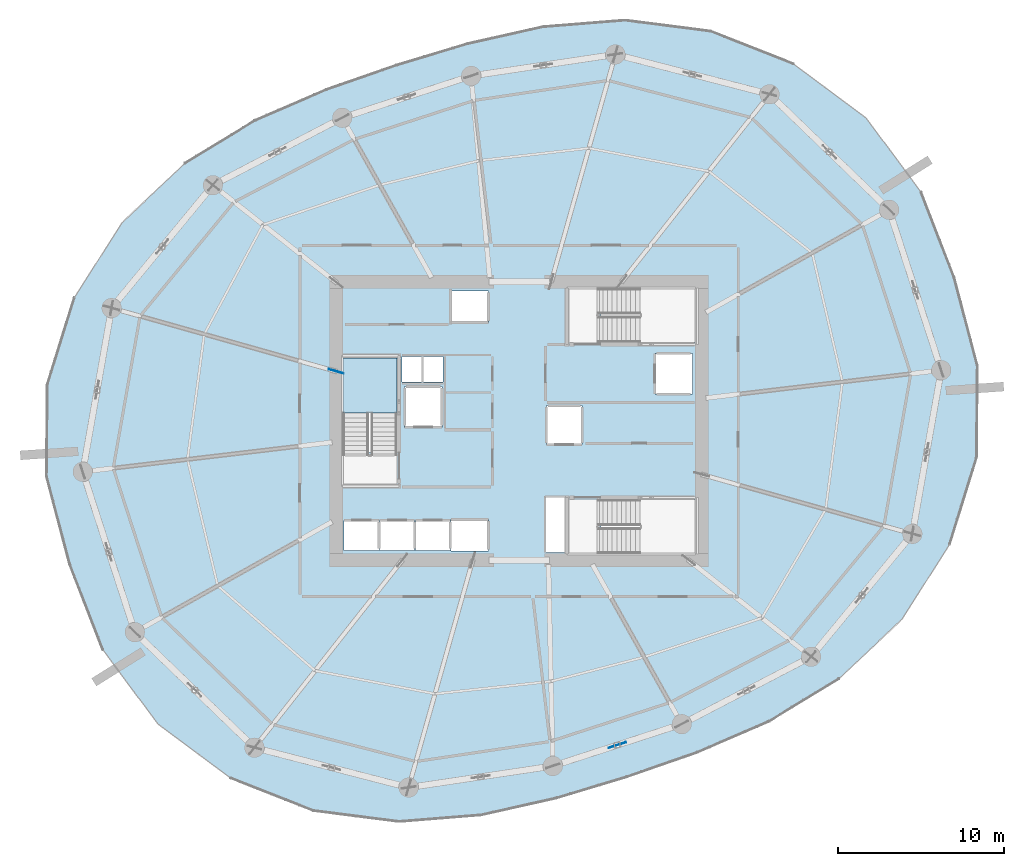
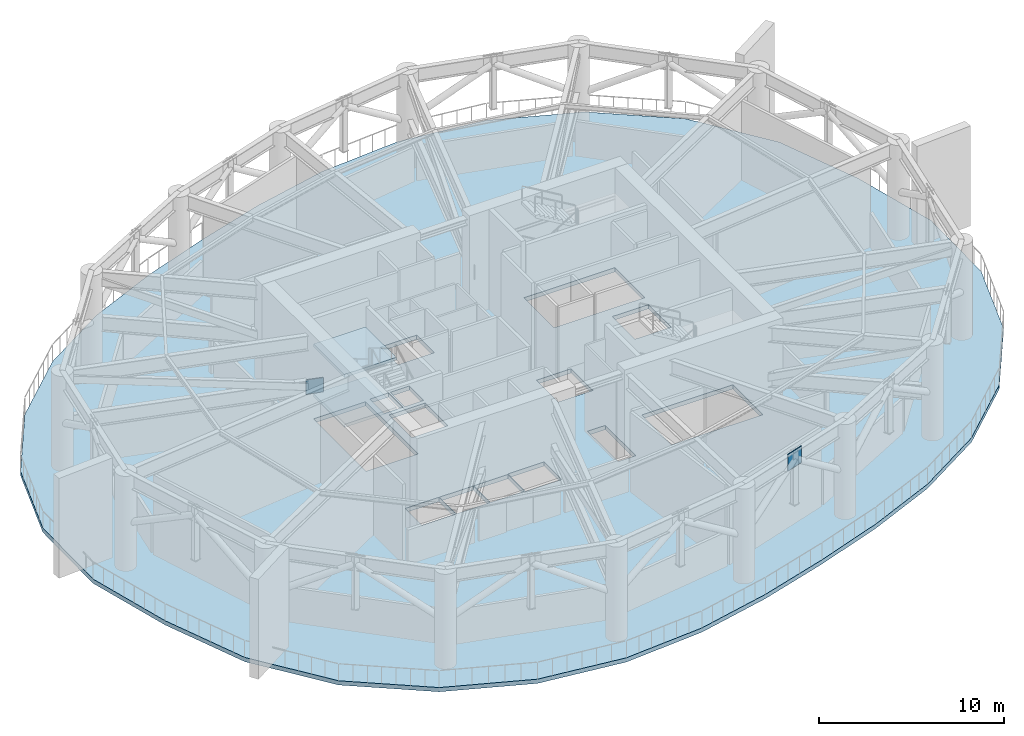
# One storey, part 9 of 19: 3 slabs, 2 plates, 1 element without a shape of its own.
"""IFC4 building model written with IfcOpenShell, lengths in metres."""

from ifc_helpers import new_model, si_unit, direction, frame, origin, origin_2d, place, context, subcontext, project, spatial, polyline, rectangle, outline, extrude, material, layer, layer_set, type_object, element, aggregate, save


model = new_model("IFC4")

# Units and contexts
model_context = context("Model", 3, precision=1e-05, world=origin(), true_north=direction((0.0, 1.0)))
body_context = subcontext(model_context, "Body", "Model", "MODEL_VIEW")
ifc_project = project(units=[si_unit("LENGTHUNIT", "METRE"), si_unit("AREAUNIT", "SQUARE_METRE"), si_unit("VOLUMEUNIT", "CUBIC_METRE"), si_unit("PLANEANGLEUNIT", "RADIAN"), si_unit("MASSUNIT", "GRAM", prefix="KILO")], contexts=[model_context])

# Site, building, storey
site_placement = place(None, origin())
site = spatial("IfcSite", under=ifc_project, at=site_placement, CompositionType="ELEMENT")
building_placement = place(site_placement, origin())
building = spatial("IfcBuilding", under=site, at=building_placement, Name="Kazma Halo Residences", CompositionType="ELEMENT")
storey_placement = place(building_placement, frame((0.0, 0.0, 116.39990234375)))
storey = spatial("IfcBuildingStorey", under=building, at=storey_placement, Name="L29", CompositionType="ELEMENT", Elevation=116.39990234375)

# Plates
ifc_material_1 = material(Name="Steel S355", Category="steel")
ifc_layer_1 = layer(ifc_material_1, 0.0400390625)
ifc_layer_set_1 = layer_set([ifc_layer_1], Name="Steel S355")
plate_type = type_object("IfcPlateType", Name="PLT-GUSSET-40", PredefinedType="SHEET", material=ifc_layer_set_1)
plate_1_placement = place(storey_placement, frame((54.35302734375, 22.447265625, 5.2099609375), z_axis=(0.0, 0.0, 1.0), x_axis=(0.951053654169, 0.309025802956, 0.0)))
element("IfcPlate", 1, at=plate_1_placement, inside=storey, type_object=plate_type, Name="L29 belt-truss apex gusset plate 12", PredefinedType="SHEET", context=body_context, shape_type="SweptSolid", body=[
    extrude(rectangle(XDim=1.10009765625, YDim=0.0400390625, at=origin_2d()), origin(), (0.0, 0.0, 1.0), 1.10009765625),
])
plate_2_placement = place(storey_placement, frame((37.39990234375, 44.989501953125, 2.34521484375), z_axis=(0.0, 0.0, 1.0), x_axis=(-0.962455573827, 0.271439253628, 0.0)))
element("IfcPlate", 2, at=plate_2_placement, inside=storey, type_object=plate_type, Name="L29 outrigger core gusset plate 04", PredefinedType="SHEET", context=body_context, shape_type="SweptSolid", body=[
    extrude(rectangle(XDim=0.949951171875, YDim=0.0400390625, at=origin_2d()), origin(), (0.0, 0.0, 1.0), 0.949951171875),
])

# Slab
ifc_material_2 = material(Name="Concrete C50/60", Category="concrete")
ifc_layer_2 = layer(ifc_material_2, 0.280029296875)
ifc_layer_set_2 = layer_set([ifc_layer_2], Name="Concrete C50/60")
slab_type_1 = type_object("IfcSlabType", Name="SLB-MEP-280", PredefinedType="FLOOR", material=ifc_layer_set_2)
slab_1_placement = place(storey_placement, frame((0.0, 0.0, -0.27978515625)))
element("IfcSlab", 3, at=slab_1_placement, inside=storey, type_object=slab_type_1, Name="L29 structural floor slab", PredefinedType="FLOOR", context=body_context, shape_type="SweptSolid", body=[
    extrude(outline(polyline([(74.67138671875, 50.666015625), (72.670654296875, 55.81640625), (69.37890625, 60.25927734375), (64.981201171875, 63.54052734375), (59.97998046875, 65.51220703125), (54.816650390625, 66.17041015625), (49.87109375, 65.77490234375), (45.307373046875, 64.750244140625), (41.028076171875, 63.457275390625), (36.80615234375, 61.988037109375), (32.51171875, 60.134521484375), (28.2783203125, 57.54736328125), (24.48779296875, 53.97998046875), (21.6005859375, 49.4453125), (19.9716796875, 44.205810546875), (19.919921875, 38.676513671875), (21.32861328125, 33.333984375), (23.329345703125, 28.18359375), (26.62109375, 23.74072265625), (31.018798828125, 20.45947265625), (36.02001953125, 18.48779296875), (41.183349609375, 17.82958984375), (46.12890625, 18.22509765625), (50.692626953125, 19.249755859375), (54.971923828125, 20.542724609375), (59.19384765625, 22.011962890625), (63.48828125, 23.865478515625), (67.7216796875, 26.45263671875), (71.51220703125, 30.02001953125), (74.3994140625, 34.5546875), (76.0283203125, 39.794189453125), (76.080078125, 45.323486328125), (74.67138671875, 50.666015625)]), holes=[polyline([(37.800048828125, 40.110107421875), (41.050048828125, 40.110107421875), (41.050048828125, 45.800048828125), (37.800048828125, 45.800048828125), (37.800048828125, 40.110107421875)]), polyline([(53.360107421875, 46.75), (59.050048828125, 46.75), (59.050048828125, 50.0), (53.360107421875, 50.0), (53.360107421875, 46.75)]), polyline([(53.360107421875, 34.0), (59.050048828125, 34.0), (59.050048828125, 37.25), (53.360107421875, 37.25), (53.360107421875, 34.0)]), polyline([(41.52001953125, 41.6201171875), (43.780029296875, 41.6201171875), (43.780029296875, 44.080078125), (41.52001953125, 44.080078125), (41.52001953125, 41.6201171875)]), polyline([(56.6201171875, 43.6201171875), (58.8798828125, 43.6201171875), (58.8798828125, 46.080078125), (56.6201171875, 46.080078125), (56.6201171875, 43.6201171875)]), polyline([(37.864990234375, 34.195068359375), (39.97509765625, 34.195068359375), (39.97509765625, 36.0048828125), (37.864990234375, 36.0048828125), (37.864990234375, 34.195068359375)]), polyline([(40.014892578125, 34.195068359375), (42.125, 34.195068359375), (42.125, 36.0048828125), (40.014892578125, 36.0048828125), (40.014892578125, 34.195068359375)]), polyline([(42.1650390625, 34.195068359375), (44.27490234375, 34.195068359375), (44.27490234375, 36.0048828125), (42.1650390625, 36.0048828125), (42.1650390625, 34.195068359375)]), polyline([(44.320068359375, 47.945068359375), (46.580078125, 47.945068359375), (46.580078125, 49.85498046875), (44.320068359375, 49.85498046875), (44.320068359375, 47.945068359375)]), polyline([(44.320068359375, 34.14501953125), (46.580078125, 34.14501953125), (46.580078125, 36.054931640625), (44.320068359375, 36.054931640625), (44.320068359375, 34.14501953125)]), polyline([(50.070068359375, 40.570068359375), (52.22998046875, 40.570068359375), (52.22998046875, 42.929931640625), (50.070068359375, 42.929931640625), (50.070068359375, 40.570068359375)]), polyline([(41.360107421875, 44.340087890625), (42.5400390625, 44.340087890625), (42.5400390625, 45.89990234375), (41.360107421875, 45.89990234375), (41.360107421875, 44.340087890625)]), polyline([(42.659912109375, 44.340087890625), (43.840087890625, 44.340087890625), (43.840087890625, 45.89990234375), (42.659912109375, 45.89990234375), (42.659912109375, 44.340087890625)]), polyline([(50.06005859375, 34.080078125), (51.159912109375, 34.080078125), (51.159912109375, 37.3798828125), (50.06005859375, 37.3798828125), (50.06005859375, 34.080078125)])]), origin(), (0.0, 0.0, 1.0), 0.27978515625),
])

# Stair, slabs
stair_type = type_object("IfcStairType", Name="STR-CRWN", PredefinedType="HALF_TURN_STAIR", material=ifc_material_2)
stair_placement = place(storey_placement, origin())
stair = element("IfcStair", 4, at=stair_placement, inside=storey, type_object=stair_type, Name="L29 Core exit stair ST-01", PredefinedType="HALF_TURN_STAIR")
ifc_layer_3 = layer(ifc_material_2, 0.199951171875)
ifc_layer_set_3 = layer_set([ifc_layer_3], Name="Concrete C50/60")
slab_type_2 = type_object("IfcSlabType", Name="SLB-STAIR-LND-200", PredefinedType="LANDING", material=ifc_layer_set_3)
slab_2_placement = place(storey_placement, frame((0.0, 0.0, 1.4501953125)))
slab_2 = element("IfcSlab", 5, at=slab_2_placement, type_object=slab_type_2, Name="ST-01 landing 1", PredefinedType="LANDING", context=body_context, shape_type="SweptSolid", body=[
    extrude(outline(polyline([(41.050048828125, 42.469970703125), (41.050048828125, 45.800048828125), (37.800048828125, 45.800048828125), (37.800048828125, 42.469970703125), (41.050048828125, 42.469970703125)])), origin(), (0.0, 0.0, 1.0), 0.199951171875),
])
slab_3_placement = place(storey_placement, frame((0.0, 0.0, 4.75)))
slab_3 = element("IfcSlab", 6, at=slab_3_placement, type_object=slab_type_2, Name="ST-01 landing 3", PredefinedType="LANDING", context=body_context, shape_type="SweptSolid", body=[
    extrude(outline(polyline([(41.050048828125, 42.469970703125), (41.050048828125, 45.800048828125), (37.800048828125, 45.800048828125), (37.800048828125, 42.469970703125), (41.050048828125, 42.469970703125)])), origin(), (0.0, 0.0, 1.0), 0.2001953125),
])
aggregate(stair, [slab_2, slab_3])

save(model, "model.ifc")
